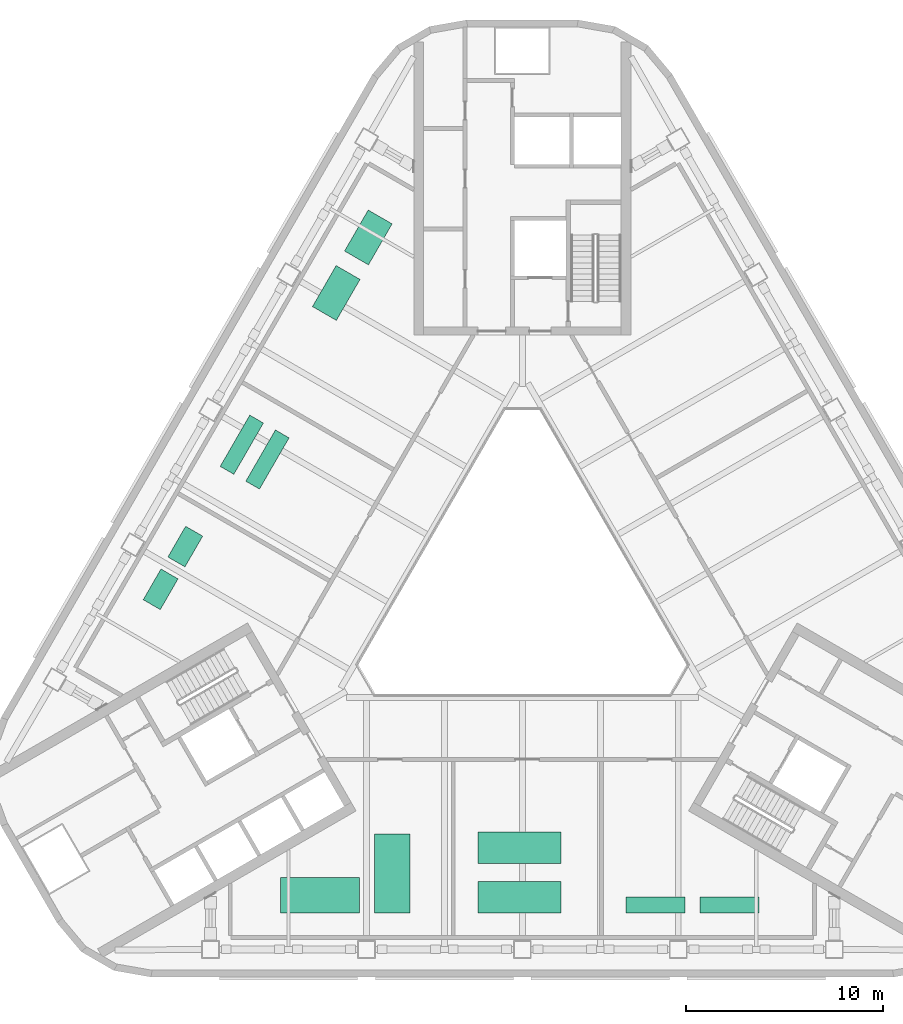
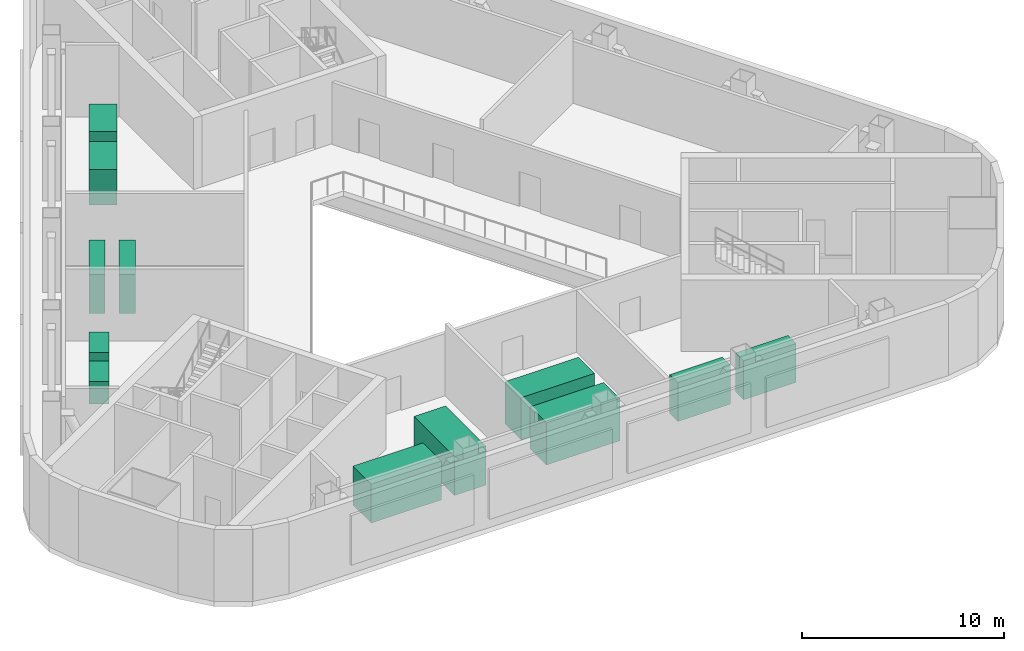
# One storey, part 14 of 14: 4 electric distribution boards, 2 boilers, 2 electric generators, 2 pumps, 2 unitary equipment elements.
"""IFC4 building model written with IfcOpenShell, lengths in metres."""

from ifc_helpers import new_model, si_unit, direction, frame, origin, origin_2d, place, context, subcontext, project, spatial, rectangle, extrude, material, type_object, element, save


model = new_model("IFC4")

# Units and contexts
model_context = context("Model", 3, precision=1e-05, world=origin(), true_north=direction((0.0, 1.0)))
body_context = subcontext(model_context, "Body", "Model", "MODEL_VIEW")
ifc_project = project(units=[si_unit("LENGTHUNIT", "METRE"), si_unit("AREAUNIT", "SQUARE_METRE"), si_unit("VOLUMEUNIT", "CUBIC_METRE"), si_unit("PLANEANGLEUNIT", "RADIAN"), si_unit("MASSUNIT", "GRAM", prefix="KILO")], contexts=[model_context])

# Site, building, storey
site_placement = place(None, origin())
site = spatial("IfcSite", under=ifc_project, at=site_placement, CompositionType="ELEMENT")
building_placement = place(site_placement, origin())
building = spatial("IfcBuilding", under=site, at=building_placement, Name="Apuvela Tower Hotel", CompositionType="ELEMENT")
storey_placement = place(building_placement, frame((0.0, 0.0, 142.10009765625)))
storey = spatial("IfcBuildingStorey", under=building, at=storey_placement, Name="L33 Plant", CompositionType="ELEMENT", Elevation=142.10009765625)

# Unitary equipment
ifc_material = material(Name="Painted sheet metal casing")
unitary_equipment_type = type_object("IfcUnitaryEquipmentType", Name="SPC-EQ-Air handling unit", PredefinedType="AIRHANDLER", material=ifc_material)
unitary_equipment_1_placement = place(storey_placement, frame((-10.25, -15.47998046875, -0.000244140625), z_axis=(0.0, 0.0, 1.0), x_axis=(1.0, 0.0, 0.0)))
element("IfcUnitaryEquipment", 1, at=unitary_equipment_1_placement, inside=storey, type_object=unitary_equipment_type, Name="Air handling unit L33-S1.1", PredefinedType="AIRHANDLER", context=body_context, shape_type="SweptSolid", body=[
    extrude(rectangle(XDim=4.0, YDim=1.800048828125, at=origin_2d()), origin(), (0.0, 0.0, 1.0), 2.35009765625),
])
unitary_equipment_2_placement = place(storey_placement, frame((-6.60009765625, -14.3798828125, -0.000244140625), z_axis=(0.0, 0.0, 1.0), x_axis=(1.0, 0.0, 0.0)))
element("IfcUnitaryEquipment", 2, at=unitary_equipment_2_placement, inside=storey, type_object=unitary_equipment_type, Name="Air handling unit L33-S1.2", PredefinedType="AIRHANDLER", context=body_context, shape_type="SweptSolid", body=[
    extrude(rectangle(XDim=1.800048828125, YDim=4.0, at=origin_2d()), origin(), (0.0, 0.0, 1.0), 2.35009765625),
])

# Boilers
boiler_type = type_object("IfcBoilerType", Name="SPC-EQ-Boiler", PredefinedType="WATER", material=ifc_material)
for number, where, z_axis, x_axis, name in (
    (3, (-7.80419921875, 17.842529296875, 0.0), (0.0, 0.0, 1.0), (-0.5, -0.866025403784, 0.0), "Boiler L33-NW1.1"),
    (4, (-9.42919921875, 15.028076171875, 0.0), (0.0, 0.0, 1.0), (-0.5, -0.866025403784, 0.0), "Boiler L33-NW1.2"),
):
    element("IfcBoiler", number, at=place(storey_placement, frame(where, z_axis=z_axis, x_axis=x_axis)), inside=storey, type_object=boiler_type, Name=name, PredefinedType="WATER", context=body_context, shape_type="SweptSolid", body=[
        extrude(rectangle(XDim=2.39990234375, YDim=1.39990234375, at=origin_2d()), origin(), (0.0, 0.0, 1.0), 2.14990234375),
    ])

# Pumps
pump_type = type_object("IfcPumpType", Name="SPC-EQ-Condenser water pump", PredefinedType="CIRCULATOR", material=ifc_material)
for number, where, z_axis, x_axis, name in (
    (5, (-17.077392578125, 2.180908203125, -0.000244140625), (0.0, 0.0, 1.0), (-0.5, -0.866025403784, 0.0), "Condenser water pump L33-NW3.1"),
    (6, (-18.327392578125, 0.015869140625, -0.000244140625), (0.0, 0.0, 1.0), (-0.5, -0.866025403784, 0.0), "Condenser water pump L33-NW3.2"),
):
    element("IfcPump", number, at=place(storey_placement, frame(where, z_axis=z_axis, x_axis=x_axis)), inside=storey, type_object=pump_type, Name=name, PredefinedType="CIRCULATOR", context=body_context, shape_type="SweptSolid", body=[
        extrude(rectangle(XDim=1.800048828125, YDim=1.0, at=origin_2d()), origin(), (0.0, 0.0, 1.0), 1.35009765625),
    ])

# Electric generators
electric_generator_type = type_object("IfcElectricGeneratorType", Name="SPC-EQ-Standby generator", PredefinedType="ENGINEGENERATOR", material=ifc_material)
for number, where, z_axis, x_axis, name in (
    (7, (-0.14990234375, -15.580078125, 0.0), (0.0, 0.0, 1.0), (1.0, 0.0, 0.0), "Standby generator L33-S2.1"),
    (8, (-0.14990234375, -13.080078125, 0.0), (0.0, 0.0, 1.0), (1.0, 0.0, 0.0), "Standby generator L33-S2.2"),
):
    element("IfcElectricGenerator", number, at=place(storey_placement, frame(where, z_axis=z_axis, x_axis=x_axis)), inside=storey, type_object=electric_generator_type, Name=name, PredefinedType="ENGINEGENERATOR", context=body_context, shape_type="SweptSolid", body=[
        extrude(rectangle(XDim=4.199951171875, YDim=1.60009765625, at=origin_2d()), origin(), (0.0, 0.0, 1.0), 2.550048828125),
    ])

# Electric distribution boards
electric_distribution_board_type = type_object("IfcElectricDistributionBoardType", Name="SPC-EQ-Switchboard", PredefinedType="SWITCHBOARD", material=ifc_material)
for number, where, z_axis, x_axis, name in (
    (9, (6.75, -15.97998046875, -0.000244140625), (0.0, 0.0, 1.0), (1.0, 0.0, 0.0), "Switchboard L33-S3.1"),
    (10, (10.5, -15.97998046875, -0.000244140625), (0.0, 0.0, 1.0), (1.0, 0.0, 0.0), "Switchboard L33-S3.2"),
    (11, (-14.214111328125, 7.340576171875, -0.000244140625), (0.0, 0.0, 1.0), (-0.5, -0.866025403784, 0.0), "Switchboard L33-NW2.1"),
    (12, (-12.9150390625, 6.590576171875, -0.000244140625), (0.0, 0.0, 1.0), (-0.5, -0.866025403784, 0.0), "Switchboard L33-NW2.2"),
):
    element("IfcElectricDistributionBoard", number, at=place(storey_placement, frame(where, z_axis=z_axis, x_axis=x_axis)), inside=storey, type_object=electric_distribution_board_type, Name=name, PredefinedType="SWITCHBOARD", context=body_context, shape_type="SweptSolid", body=[
        extrude(rectangle(XDim=3.0, YDim=0.800048828125, at=origin_2d()), origin(), (0.0, 0.0, 1.0), 2.35009765625),
    ])

save(model, "model.ifc")
